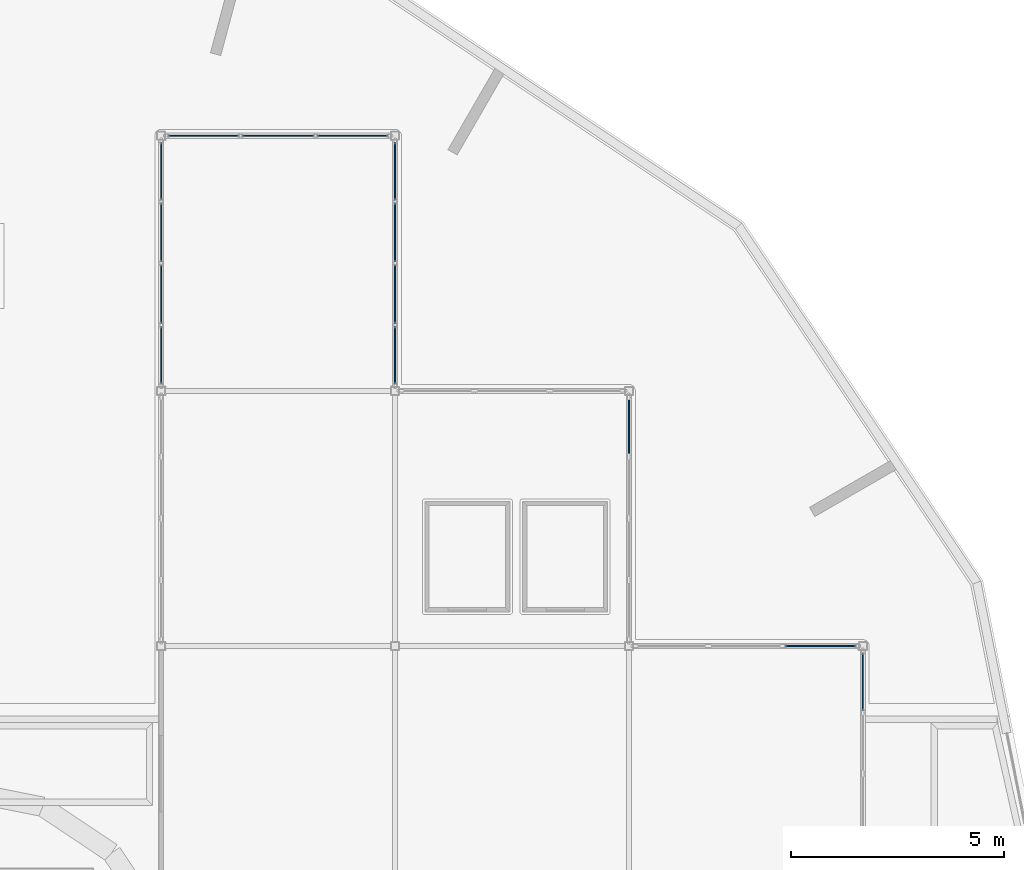
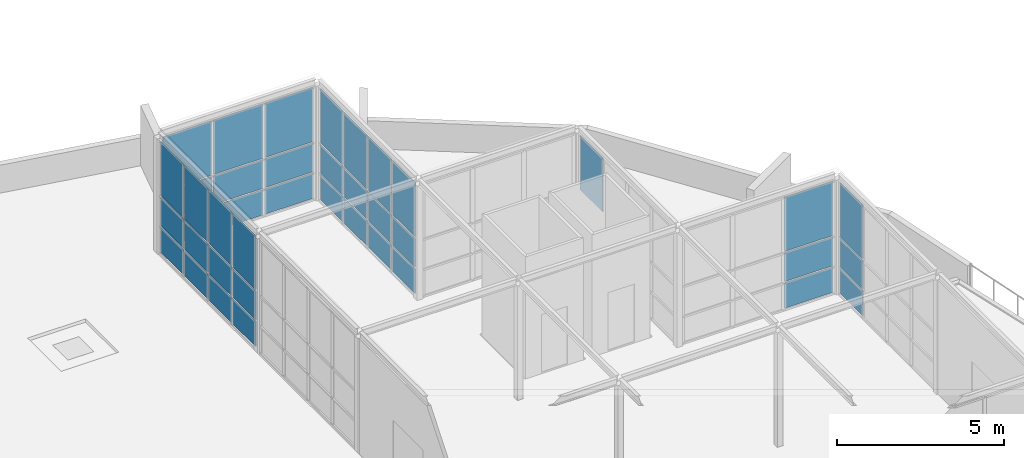
# One storey, part 23 of 40: 40 plates, 6 elements without a shape of their own.
"""IFC4 building model written with IfcOpenShell, lengths in metres."""

from ifc_helpers import new_model, si_unit, direction, frame, origin, origin_2d, place, context, subcontext, project, spatial, rectangle, extrude, material, layer, layer_set, type_object, element, aggregate, save


model = new_model("IFC4")

# Units and contexts
model_context = context("Model", 3, precision=1e-05, world=origin(), true_north=direction((0.0, 1.0)))
body_context = subcontext(model_context, "Body", "Model", "MODEL_VIEW")
ifc_project = project(units=[si_unit("LENGTHUNIT", "METRE"), si_unit("AREAUNIT", "SQUARE_METRE"), si_unit("VOLUMEUNIT", "CUBIC_METRE"), si_unit("PLANEANGLEUNIT", "RADIAN"), si_unit("MASSUNIT", "GRAM", prefix="KILO")], contexts=[model_context])

# Site, building, storey
site_placement = place(None, origin())
site = spatial("IfcSite", under=ifc_project, at=site_placement, CompositionType="ELEMENT")
building_placement = place(site_placement, origin())
building = spatial("IfcBuilding", under=site, at=building_placement, Name="Ceibo Conservatory and Research Tower", CompositionType="ELEMENT")
storey_placement = place(building_placement, frame((0.0, 0.0, 6.0)))
storey = spatial("IfcBuildingStorey", under=building, at=storey_placement, Name="L01", CompositionType="ELEMENT", Elevation=6.0)

# Curtain wall, plates
ifc_material_1 = material(Name="Aluminium and glass", Category="aluminium")
curtain_wall_type = type_object("IfcCurtainWallType", Name="Sky gallery curtain wall", PredefinedType="NOTDEFINED", material=ifc_material_1)
curtain_wall_1_placement = place(storey_placement, origin())
curtain_wall_1 = element("IfcCurtainWall", 1, at=curtain_wall_1_placement, inside=storey, type_object=curtain_wall_type, Name="Sky Gallery curtain wall h23", PredefinedType="NOTDEFINED")
ifc_material_2 = material(Name="Laminated glass", Category="glass")
ifc_layer = layer(ifc_material_2, 0.028076171875)
ifc_layer_set = layer_set([ifc_layer], Name="Laminated glass")
plate_type = type_object("IfcPlateType", Name="Sky gallery wall glass 28", PredefinedType="CURTAIN_PANEL", material=ifc_layer_set)
plate_1_placement = place(storey_placement, frame((188.20166015625, 44.39990234375, 0.06005859375), z_axis=(0.0, 0.0, 1.0), x_axis=(1.0, 0.0, 0.0)))
plate_1 = element("IfcPlate", 2, at=plate_1_placement, type_object=plate_type, Name="VC-SWh23 panel 3.1", PredefinedType="CURTAIN_PANEL", context=body_context, shape_type="SweptSolid", body=[
    extrude(rectangle(XDim=1.6767578125, YDim=0.028076171875, at=origin_2d()), origin(), (0.0, 0.0, 1.0), 0.909912109375),
])
plate_2_placement = place(storey_placement, frame((188.20166015625, 44.39990234375, 1.030029296875), z_axis=(0.0, 0.0, 1.0), x_axis=(1.0, 0.0, 0.0)))
plate_2 = element("IfcPlate", 3, at=plate_2_placement, type_object=plate_type, Name="VC-SWh23 panel 3.2", PredefinedType="CURTAIN_PANEL", context=body_context, shape_type="SweptSolid", body=[
    extrude(rectangle(XDim=1.6767578125, YDim=0.028076171875, at=origin_2d()), origin(), (0.0, 0.0, 1.0), 1.0400390625),
])
plate_3_placement = place(storey_placement, frame((188.20166015625, 44.39990234375, 2.1298828125), z_axis=(0.0, 0.0, 1.0), x_axis=(1.0, 0.0, 0.0)))
plate_3 = element("IfcPlate", 4, at=plate_3_placement, type_object=plate_type, Name="VC-SWh23 panel 3.3", PredefinedType="CURTAIN_PANEL", context=body_context, shape_type="SweptSolid", body=[
    extrude(rectangle(XDim=1.6767578125, YDim=0.028076171875, at=origin_2d()), origin(), (0.0, 0.0, 1.0), 1.969970703125),
])
aggregate(curtain_wall_1, [plate_1, plate_2, plate_3])

curtain_wall_2_placement = place(storey_placement, origin())
curtain_wall_2 = element("IfcCurtainWall", 5, at=curtain_wall_2_placement, inside=storey, type_object=curtain_wall_type, Name="Sky Gallery curtain wall h05", PredefinedType="NOTDEFINED")
plate_4_placement = place(storey_placement, frame((173.6982421875, 56.39990234375, 0.06005859375), z_axis=(0.0, 0.0, 1.0), x_axis=(1.0, 0.0, 0.0)))
plate_4 = element("IfcPlate", 6, at=plate_4_placement, type_object=plate_type, Name="VC-SWh05 panel 1.1", PredefinedType="CURTAIN_PANEL", context=body_context, shape_type="SweptSolid", body=[
    extrude(rectangle(XDim=1.6767578125, YDim=0.028076171875, at=origin_2d()), origin(), (0.0, 0.0, 1.0), 0.909912109375),
])
plate_5_placement = place(storey_placement, frame((173.6982421875, 56.39990234375, 1.030029296875), z_axis=(0.0, 0.0, 1.0), x_axis=(1.0, 0.0, 0.0)))
plate_5 = element("IfcPlate", 7, at=plate_5_placement, type_object=plate_type, Name="VC-SWh05 panel 1.2", PredefinedType="CURTAIN_PANEL", context=body_context, shape_type="SweptSolid", body=[
    extrude(rectangle(XDim=1.6767578125, YDim=0.028076171875, at=origin_2d()), origin(), (0.0, 0.0, 1.0), 1.0400390625),
])
plate_6_placement = place(storey_placement, frame((173.6982421875, 56.39990234375, 2.1298828125), z_axis=(0.0, 0.0, 1.0), x_axis=(1.0, 0.0, 0.0)))
plate_6 = element("IfcPlate", 8, at=plate_6_placement, type_object=plate_type, Name="VC-SWh05 panel 1.3", PredefinedType="CURTAIN_PANEL", context=body_context, shape_type="SweptSolid", body=[
    extrude(rectangle(XDim=1.6767578125, YDim=0.028076171875, at=origin_2d()), origin(), (0.0, 0.0, 1.0), 1.969970703125),
])
plate_7_placement = place(storey_placement, frame((175.449951171875, 56.39990234375, 0.06005859375), z_axis=(0.0, 0.0, 1.0), x_axis=(1.0, 0.0, 0.0)))
plate_7 = element("IfcPlate", 9, at=plate_7_placement, type_object=plate_type, Name="VC-SWh05 panel 2.1", PredefinedType="CURTAIN_PANEL", context=body_context, shape_type="SweptSolid", body=[
    extrude(rectangle(XDim=1.706787109375, YDim=0.028076171875, at=origin_2d()), origin(), (0.0, 0.0, 1.0), 0.909912109375),
])
plate_8_placement = place(storey_placement, frame((175.449951171875, 56.39990234375, 1.030029296875), z_axis=(0.0, 0.0, 1.0), x_axis=(1.0, 0.0, 0.0)))
plate_8 = element("IfcPlate", 10, at=plate_8_placement, type_object=plate_type, Name="VC-SWh05 panel 2.2", PredefinedType="CURTAIN_PANEL", context=body_context, shape_type="SweptSolid", body=[
    extrude(rectangle(XDim=1.706787109375, YDim=0.028076171875, at=origin_2d()), origin(), (0.0, 0.0, 1.0), 1.0400390625),
])
plate_9_placement = place(storey_placement, frame((175.449951171875, 56.39990234375, 2.1298828125), z_axis=(0.0, 0.0, 1.0), x_axis=(1.0, 0.0, 0.0)))
plate_9 = element("IfcPlate", 11, at=plate_9_placement, type_object=plate_type, Name="VC-SWh05 panel 2.3", PredefinedType="CURTAIN_PANEL", context=body_context, shape_type="SweptSolid", body=[
    extrude(rectangle(XDim=1.706787109375, YDim=0.028076171875, at=origin_2d()), origin(), (0.0, 0.0, 1.0), 1.969970703125),
])
plate_10_placement = place(storey_placement, frame((177.20166015625, 56.39990234375, 0.06005859375), z_axis=(0.0, 0.0, 1.0), x_axis=(1.0, 0.0, 0.0)))
plate_10 = element("IfcPlate", 12, at=plate_10_placement, type_object=plate_type, Name="VC-SWh05 panel 3.1", PredefinedType="CURTAIN_PANEL", context=body_context, shape_type="SweptSolid", body=[
    extrude(rectangle(XDim=1.6767578125, YDim=0.028076171875, at=origin_2d()), origin(), (0.0, 0.0, 1.0), 0.909912109375),
])
plate_11_placement = place(storey_placement, frame((177.20166015625, 56.39990234375, 1.030029296875), z_axis=(0.0, 0.0, 1.0), x_axis=(1.0, 0.0, 0.0)))
plate_11 = element("IfcPlate", 13, at=plate_11_placement, type_object=plate_type, Name="VC-SWh05 panel 3.2", PredefinedType="CURTAIN_PANEL", context=body_context, shape_type="SweptSolid", body=[
    extrude(rectangle(XDim=1.6767578125, YDim=0.028076171875, at=origin_2d()), origin(), (0.0, 0.0, 1.0), 1.0400390625),
])
plate_12_placement = place(storey_placement, frame((177.20166015625, 56.39990234375, 2.1298828125), z_axis=(0.0, 0.0, 1.0), x_axis=(1.0, 0.0, 0.0)))
plate_12 = element("IfcPlate", 14, at=plate_12_placement, type_object=plate_type, Name="VC-SWh05 panel 3.3", PredefinedType="CURTAIN_PANEL", context=body_context, shape_type="SweptSolid", body=[
    extrude(rectangle(XDim=1.6767578125, YDim=0.028076171875, at=origin_2d()), origin(), (0.0, 0.0, 1.0), 1.969970703125),
])
aggregate(curtain_wall_2, [plate_4, plate_5, plate_6, plate_7, plate_8, plate_9, plate_10, plate_11, plate_12])

curtain_wall_3_placement = place(storey_placement, origin())
curtain_wall_3 = element("IfcCurtainWall", 15, at=curtain_wall_3_placement, inside=storey, type_object=curtain_wall_type, Name="Sky Gallery curtain wall v04", PredefinedType="NOTDEFINED")
plate_13_placement = place(storey_placement, frame((172.699951171875, 51.239990234375, 0.06005859375), z_axis=(0.0, 0.0, 1.0), x_axis=(0.0, 1.0, 0.0)))
plate_13 = element("IfcPlate", 16, at=plate_13_placement, type_object=plate_type, Name="VC-SWv04 panel 1.1", PredefinedType="CURTAIN_PANEL", context=body_context, shape_type="SweptSolid", body=[
    extrude(rectangle(XDim=1.360107421875, YDim=0.028076171875, at=origin_2d()), origin(), (0.0, 0.0, 1.0), 0.909912109375),
])
plate_14_placement = place(storey_placement, frame((172.699951171875, 51.239990234375, 1.030029296875), z_axis=(0.0, 0.0, 1.0), x_axis=(0.0, 1.0, 0.0)))
plate_14 = element("IfcPlate", 17, at=plate_14_placement, type_object=plate_type, Name="VC-SWv04 panel 1.2", PredefinedType="CURTAIN_PANEL", context=body_context, shape_type="SweptSolid", body=[
    extrude(rectangle(XDim=1.360107421875, YDim=0.028076171875, at=origin_2d()), origin(), (0.0, 0.0, 1.0), 1.0400390625),
])
plate_15_placement = place(storey_placement, frame((172.699951171875, 51.239990234375, 2.1298828125), z_axis=(0.0, 0.0, 1.0), x_axis=(0.0, 1.0, 0.0)))
plate_15 = element("IfcPlate", 18, at=plate_15_placement, type_object=plate_type, Name="VC-SWv04 panel 1.3", PredefinedType="CURTAIN_PANEL", context=body_context, shape_type="SweptSolid", body=[
    extrude(rectangle(XDim=1.360107421875, YDim=0.028076171875, at=origin_2d()), origin(), (0.0, 0.0, 1.0), 1.969970703125),
])
plate_16_placement = place(storey_placement, frame((172.699951171875, 52.675048828125, 0.06005859375), z_axis=(0.0, 0.0, 1.0), x_axis=(0.0, 1.0, 0.0)))
plate_16 = element("IfcPlate", 19, at=plate_16_placement, type_object=plate_type, Name="VC-SWv04 panel 2.1", PredefinedType="CURTAIN_PANEL", context=body_context, shape_type="SweptSolid", body=[
    extrude(rectangle(XDim=1.389892578125, YDim=0.028076171875, at=origin_2d()), origin(), (0.0, 0.0, 1.0), 0.909912109375),
])
plate_17_placement = place(storey_placement, frame((172.699951171875, 52.675048828125, 1.030029296875), z_axis=(0.0, 0.0, 1.0), x_axis=(0.0, 1.0, 0.0)))
plate_17 = element("IfcPlate", 20, at=plate_17_placement, type_object=plate_type, Name="VC-SWv04 panel 2.2", PredefinedType="CURTAIN_PANEL", context=body_context, shape_type="SweptSolid", body=[
    extrude(rectangle(XDim=1.389892578125, YDim=0.028076171875, at=origin_2d()), origin(), (0.0, 0.0, 1.0), 1.0400390625),
])
plate_18_placement = place(storey_placement, frame((172.699951171875, 52.675048828125, 2.1298828125), z_axis=(0.0, 0.0, 1.0), x_axis=(0.0, 1.0, 0.0)))
plate_18 = element("IfcPlate", 21, at=plate_18_placement, type_object=plate_type, Name="VC-SWv04 panel 2.3", PredefinedType="CURTAIN_PANEL", context=body_context, shape_type="SweptSolid", body=[
    extrude(rectangle(XDim=1.389892578125, YDim=0.028076171875, at=origin_2d()), origin(), (0.0, 0.0, 1.0), 1.969970703125),
])
plate_19_placement = place(storey_placement, frame((172.699951171875, 54.125, 0.06005859375), z_axis=(0.0, 0.0, 1.0), x_axis=(0.0, 1.0, 0.0)))
plate_19 = element("IfcPlate", 22, at=plate_19_placement, type_object=plate_type, Name="VC-SWv04 panel 3.1", PredefinedType="CURTAIN_PANEL", context=body_context, shape_type="SweptSolid", body=[
    extrude(rectangle(XDim=1.389892578125, YDim=0.028076171875, at=origin_2d()), origin(), (0.0, 0.0, 1.0), 0.909912109375),
])
plate_20_placement = place(storey_placement, frame((172.699951171875, 54.125, 1.030029296875), z_axis=(0.0, 0.0, 1.0), x_axis=(0.0, 1.0, 0.0)))
plate_20 = element("IfcPlate", 23, at=plate_20_placement, type_object=plate_type, Name="VC-SWv04 panel 3.2", PredefinedType="CURTAIN_PANEL", context=body_context, shape_type="SweptSolid", body=[
    extrude(rectangle(XDim=1.389892578125, YDim=0.028076171875, at=origin_2d()), origin(), (0.0, 0.0, 1.0), 1.0400390625),
])
plate_21_placement = place(storey_placement, frame((172.699951171875, 54.125, 2.1298828125), z_axis=(0.0, 0.0, 1.0), x_axis=(0.0, 1.0, 0.0)))
plate_21 = element("IfcPlate", 24, at=plate_21_placement, type_object=plate_type, Name="VC-SWv04 panel 3.3", PredefinedType="CURTAIN_PANEL", context=body_context, shape_type="SweptSolid", body=[
    extrude(rectangle(XDim=1.389892578125, YDim=0.028076171875, at=origin_2d()), origin(), (0.0, 0.0, 1.0), 1.969970703125),
])
plate_22_placement = place(storey_placement, frame((172.699951171875, 55.56005859375, 0.06005859375), z_axis=(0.0, 0.0, 1.0), x_axis=(0.0, 1.0, 0.0)))
plate_22 = element("IfcPlate", 25, at=plate_22_placement, type_object=plate_type, Name="VC-SWv04 panel 4.1", PredefinedType="CURTAIN_PANEL", context=body_context, shape_type="SweptSolid", body=[
    extrude(rectangle(XDim=1.360107421875, YDim=0.028076171875, at=origin_2d()), origin(), (0.0, 0.0, 1.0), 0.909912109375),
])
plate_23_placement = place(storey_placement, frame((172.699951171875, 55.56005859375, 1.030029296875), z_axis=(0.0, 0.0, 1.0), x_axis=(0.0, 1.0, 0.0)))
plate_23 = element("IfcPlate", 26, at=plate_23_placement, type_object=plate_type, Name="VC-SWv04 panel 4.2", PredefinedType="CURTAIN_PANEL", context=body_context, shape_type="SweptSolid", body=[
    extrude(rectangle(XDim=1.360107421875, YDim=0.028076171875, at=origin_2d()), origin(), (0.0, 0.0, 1.0), 1.0400390625),
])
plate_24_placement = place(storey_placement, frame((172.699951171875, 55.56005859375, 2.1298828125), z_axis=(0.0, 0.0, 1.0), x_axis=(0.0, 1.0, 0.0)))
plate_24 = element("IfcPlate", 27, at=plate_24_placement, type_object=plate_type, Name="VC-SWv04 panel 4.3", PredefinedType="CURTAIN_PANEL", context=body_context, shape_type="SweptSolid", body=[
    extrude(rectangle(XDim=1.360107421875, YDim=0.028076171875, at=origin_2d()), origin(), (0.0, 0.0, 1.0), 1.969970703125),
])
aggregate(curtain_wall_3, [plate_13, plate_14, plate_15, plate_16, plate_17, plate_18, plate_19, plate_20, plate_21, plate_22, plate_23, plate_24])

curtain_wall_4_placement = place(storey_placement, origin())
curtain_wall_4 = element("IfcCurtainWall", 28, at=curtain_wall_4_placement, inside=storey, type_object=curtain_wall_type, Name="Sky Gallery curtain wall v14", PredefinedType="NOTDEFINED")
plate_25_placement = place(storey_placement, frame((178.199951171875, 51.239990234375, 0.06005859375), z_axis=(0.0, 0.0, 1.0), x_axis=(0.0, 1.0, 0.0)))
plate_25 = element("IfcPlate", 29, at=plate_25_placement, type_object=plate_type, Name="VC-SWv14 panel 1.1", PredefinedType="CURTAIN_PANEL", context=body_context, shape_type="SweptSolid", body=[
    extrude(rectangle(XDim=1.360107421875, YDim=0.028076171875, at=origin_2d()), origin(), (0.0, 0.0, 1.0), 0.909912109375),
])
plate_26_placement = place(storey_placement, frame((178.199951171875, 51.239990234375, 1.030029296875), z_axis=(0.0, 0.0, 1.0), x_axis=(0.0, 1.0, 0.0)))
plate_26 = element("IfcPlate", 30, at=plate_26_placement, type_object=plate_type, Name="VC-SWv14 panel 1.2", PredefinedType="CURTAIN_PANEL", context=body_context, shape_type="SweptSolid", body=[
    extrude(rectangle(XDim=1.360107421875, YDim=0.028076171875, at=origin_2d()), origin(), (0.0, 0.0, 1.0), 1.0400390625),
])
plate_27_placement = place(storey_placement, frame((178.199951171875, 51.239990234375, 2.1298828125), z_axis=(0.0, 0.0, 1.0), x_axis=(0.0, 1.0, 0.0)))
plate_27 = element("IfcPlate", 31, at=plate_27_placement, type_object=plate_type, Name="VC-SWv14 panel 1.3", PredefinedType="CURTAIN_PANEL", context=body_context, shape_type="SweptSolid", body=[
    extrude(rectangle(XDim=1.360107421875, YDim=0.028076171875, at=origin_2d()), origin(), (0.0, 0.0, 1.0), 1.969970703125),
])
plate_28_placement = place(storey_placement, frame((178.199951171875, 52.675048828125, 0.06005859375), z_axis=(0.0, 0.0, 1.0), x_axis=(0.0, 1.0, 0.0)))
plate_28 = element("IfcPlate", 32, at=plate_28_placement, type_object=plate_type, Name="VC-SWv14 panel 2.1", PredefinedType="CURTAIN_PANEL", context=body_context, shape_type="SweptSolid", body=[
    extrude(rectangle(XDim=1.389892578125, YDim=0.028076171875, at=origin_2d()), origin(), (0.0, 0.0, 1.0), 0.909912109375),
])
plate_29_placement = place(storey_placement, frame((178.199951171875, 52.675048828125, 1.030029296875), z_axis=(0.0, 0.0, 1.0), x_axis=(0.0, 1.0, 0.0)))
plate_29 = element("IfcPlate", 33, at=plate_29_placement, type_object=plate_type, Name="VC-SWv14 panel 2.2", PredefinedType="CURTAIN_PANEL", context=body_context, shape_type="SweptSolid", body=[
    extrude(rectangle(XDim=1.389892578125, YDim=0.028076171875, at=origin_2d()), origin(), (0.0, 0.0, 1.0), 1.0400390625),
])
plate_30_placement = place(storey_placement, frame((178.199951171875, 52.675048828125, 2.1298828125), z_axis=(0.0, 0.0, 1.0), x_axis=(0.0, 1.0, 0.0)))
plate_30 = element("IfcPlate", 34, at=plate_30_placement, type_object=plate_type, Name="VC-SWv14 panel 2.3", PredefinedType="CURTAIN_PANEL", context=body_context, shape_type="SweptSolid", body=[
    extrude(rectangle(XDim=1.389892578125, YDim=0.028076171875, at=origin_2d()), origin(), (0.0, 0.0, 1.0), 1.969970703125),
])
plate_31_placement = place(storey_placement, frame((178.199951171875, 54.125, 0.06005859375), z_axis=(0.0, 0.0, 1.0), x_axis=(0.0, 1.0, 0.0)))
plate_31 = element("IfcPlate", 35, at=plate_31_placement, type_object=plate_type, Name="VC-SWv14 panel 3.1", PredefinedType="CURTAIN_PANEL", context=body_context, shape_type="SweptSolid", body=[
    extrude(rectangle(XDim=1.389892578125, YDim=0.028076171875, at=origin_2d()), origin(), (0.0, 0.0, 1.0), 0.909912109375),
])
plate_32_placement = place(storey_placement, frame((178.199951171875, 54.125, 1.030029296875), z_axis=(0.0, 0.0, 1.0), x_axis=(0.0, 1.0, 0.0)))
plate_32 = element("IfcPlate", 36, at=plate_32_placement, type_object=plate_type, Name="VC-SWv14 panel 3.2", PredefinedType="CURTAIN_PANEL", context=body_context, shape_type="SweptSolid", body=[
    extrude(rectangle(XDim=1.389892578125, YDim=0.028076171875, at=origin_2d()), origin(), (0.0, 0.0, 1.0), 1.0400390625),
])
plate_33_placement = place(storey_placement, frame((178.199951171875, 54.125, 2.1298828125), z_axis=(0.0, 0.0, 1.0), x_axis=(0.0, 1.0, 0.0)))
plate_33 = element("IfcPlate", 37, at=plate_33_placement, type_object=plate_type, Name="VC-SWv14 panel 3.3", PredefinedType="CURTAIN_PANEL", context=body_context, shape_type="SweptSolid", body=[
    extrude(rectangle(XDim=1.389892578125, YDim=0.028076171875, at=origin_2d()), origin(), (0.0, 0.0, 1.0), 1.969970703125),
])
plate_34_placement = place(storey_placement, frame((178.199951171875, 55.56005859375, 0.06005859375), z_axis=(0.0, 0.0, 1.0), x_axis=(0.0, 1.0, 0.0)))
plate_34 = element("IfcPlate", 38, at=plate_34_placement, type_object=plate_type, Name="VC-SWv14 panel 4.1", PredefinedType="CURTAIN_PANEL", context=body_context, shape_type="SweptSolid", body=[
    extrude(rectangle(XDim=1.360107421875, YDim=0.028076171875, at=origin_2d()), origin(), (0.0, 0.0, 1.0), 0.909912109375),
])
plate_35_placement = place(storey_placement, frame((178.199951171875, 55.56005859375, 1.030029296875), z_axis=(0.0, 0.0, 1.0), x_axis=(0.0, 1.0, 0.0)))
plate_35 = element("IfcPlate", 39, at=plate_35_placement, type_object=plate_type, Name="VC-SWv14 panel 4.2", PredefinedType="CURTAIN_PANEL", context=body_context, shape_type="SweptSolid", body=[
    extrude(rectangle(XDim=1.360107421875, YDim=0.028076171875, at=origin_2d()), origin(), (0.0, 0.0, 1.0), 1.0400390625),
])
plate_36_placement = place(storey_placement, frame((178.199951171875, 55.56005859375, 2.1298828125), z_axis=(0.0, 0.0, 1.0), x_axis=(0.0, 1.0, 0.0)))
plate_36 = element("IfcPlate", 40, at=plate_36_placement, type_object=plate_type, Name="VC-SWv14 panel 4.3", PredefinedType="CURTAIN_PANEL", context=body_context, shape_type="SweptSolid", body=[
    extrude(rectangle(XDim=1.360107421875, YDim=0.028076171875, at=origin_2d()), origin(), (0.0, 0.0, 1.0), 1.969970703125),
])
aggregate(curtain_wall_4, [plate_25, plate_26, plate_27, plate_28, plate_29, plate_30, plate_31, plate_32, plate_33, plate_34, plate_35, plate_36])

# Curtain wall, plate
curtain_wall_5_placement = place(storey_placement, origin())
curtain_wall_5 = element("IfcCurtainWall", 41, at=curtain_wall_5_placement, inside=storey, type_object=curtain_wall_type, Name="Sky Gallery curtain wall v23", PredefinedType="NOTDEFINED")
plate_37_placement = place(storey_placement, frame((183.699951171875, 49.56005859375, 2.1298828125), z_axis=(0.0, 0.0, 1.0), x_axis=(0.0, 1.0, 0.0)))
plate_37 = element("IfcPlate", 42, at=plate_37_placement, type_object=plate_type, Name="VC-SWv23 panel 4.3", PredefinedType="CURTAIN_PANEL", context=body_context, shape_type="SweptSolid", body=[
    extrude(rectangle(XDim=1.360107421875, YDim=0.028076171875, at=origin_2d()), origin(), (0.0, 0.0, 1.0), 1.969970703125),
])
aggregate(curtain_wall_5, [plate_37])

# Curtain wall, plates
curtain_wall_6_placement = place(storey_placement, origin())
curtain_wall_6 = element("IfcCurtainWall", 43, at=curtain_wall_6_placement, inside=storey, type_object=curtain_wall_type, Name="Sky Gallery curtain wall v32", PredefinedType="NOTDEFINED")
plate_38_placement = place(storey_placement, frame((189.199951171875, 43.56005859375, 0.06005859375), z_axis=(0.0, 0.0, 1.0), x_axis=(0.0, 1.0, 0.0)))
plate_38 = element("IfcPlate", 44, at=plate_38_placement, type_object=plate_type, Name="VC-SWv32 panel 4.1", PredefinedType="CURTAIN_PANEL", context=body_context, shape_type="SweptSolid", body=[
    extrude(rectangle(XDim=1.360107421875, YDim=0.028076171875, at=origin_2d()), origin(), (0.0, 0.0, 1.0), 0.909912109375),
])
plate_39_placement = place(storey_placement, frame((189.199951171875, 43.56005859375, 1.030029296875), z_axis=(0.0, 0.0, 1.0), x_axis=(0.0, 1.0, 0.0)))
plate_39 = element("IfcPlate", 45, at=plate_39_placement, type_object=plate_type, Name="VC-SWv32 panel 4.2", PredefinedType="CURTAIN_PANEL", context=body_context, shape_type="SweptSolid", body=[
    extrude(rectangle(XDim=1.360107421875, YDim=0.028076171875, at=origin_2d()), origin(), (0.0, 0.0, 1.0), 1.0400390625),
])
plate_40_placement = place(storey_placement, frame((189.199951171875, 43.56005859375, 2.1298828125), z_axis=(0.0, 0.0, 1.0), x_axis=(0.0, 1.0, 0.0)))
plate_40 = element("IfcPlate", 46, at=plate_40_placement, type_object=plate_type, Name="VC-SWv32 panel 4.3", PredefinedType="CURTAIN_PANEL", context=body_context, shape_type="SweptSolid", body=[
    extrude(rectangle(XDim=1.360107421875, YDim=0.028076171875, at=origin_2d()), origin(), (0.0, 0.0, 1.0), 1.969970703125),
])
aggregate(curtain_wall_6, [plate_38, plate_39, plate_40])

save(model, "model.ifc")
